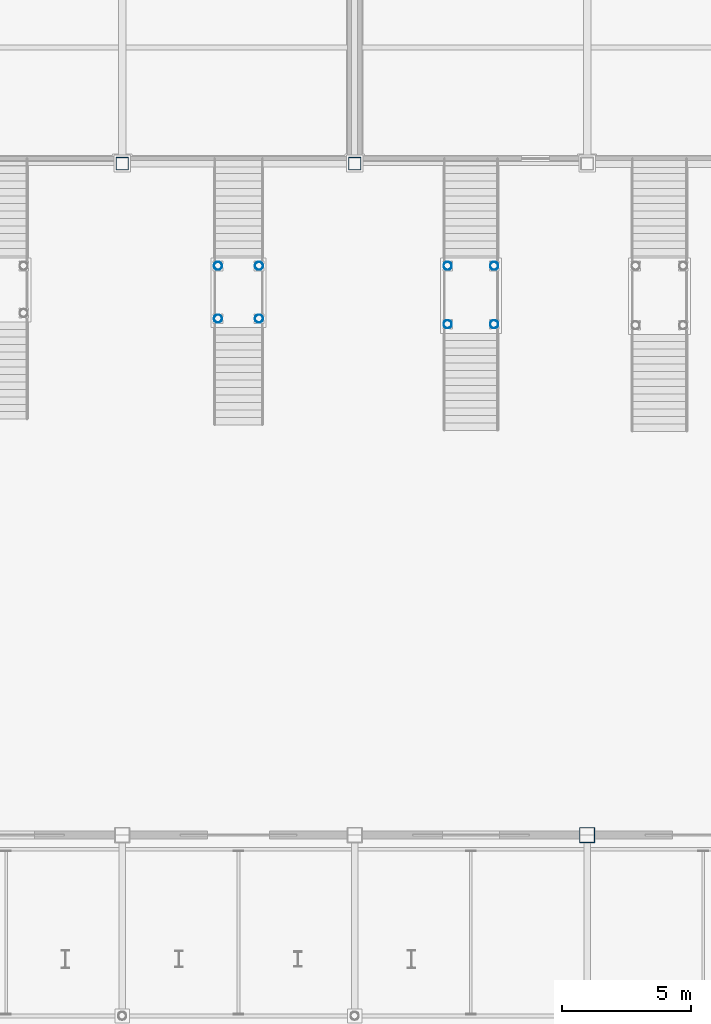
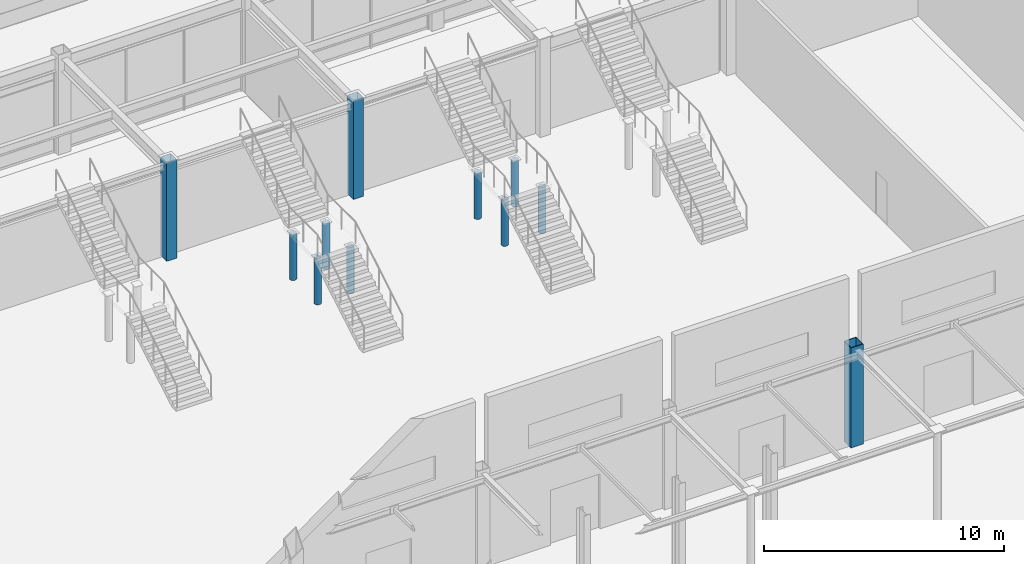
# One storey, part 10 of 123: 11 columns.
"""IFC4 building model written with IfcOpenShell, lengths in metres."""

from ifc_helpers import new_model, si_unit, direction, frame, origin, origin_2d, place, context, subcontext, project, spatial, hollow_rectangle, hollow_circle, extrude, material, material_profile, profile_set, type_object, element, save


model = new_model("IFC4")

# Units and contexts
model_context = context("Model", 3, precision=1e-05, world=origin(), true_north=direction((0.0, 1.0)))
body_context = subcontext(model_context, "Body", "Model", "MODEL_VIEW")
ifc_project = project(units=[si_unit("LENGTHUNIT", "METRE"), si_unit("AREAUNIT", "SQUARE_METRE"), si_unit("VOLUMEUNIT", "CUBIC_METRE"), si_unit("PLANEANGLEUNIT", "RADIAN"), si_unit("MASSUNIT", "GRAM", prefix="KILO")], contexts=[model_context])

# Site, building, storey
site_placement = place(None, origin())
site = spatial("IfcSite", under=ifc_project, at=site_placement, CompositionType="ELEMENT")
building_placement = place(site_placement, origin())
building = spatial("IfcBuilding", under=site, at=building_placement, Name="Suzunagisa Mobility Hub", CompositionType="ELEMENT")
storey_placement = place(building_placement, origin())
storey = spatial("IfcBuildingStorey", under=building, at=storey_placement, Name="L00", CompositionType="ELEMENT", Elevation=0.0)

# Columns
ifc_material = material(Name="Steel SN490B", Category="steel")
ifc_material_profile_1 = material_profile(ifc_material, hollow_rectangle(XDim=0.60009765625, YDim=0.60009765625, WallThickness=0.031982421875, at=origin_2d()), Name="BOX-600x600x32")
ifc_profile_set_1 = profile_set([ifc_material_profile_1], Name="Steel SN490B")
column_type_1 = type_object("IfcColumnType", Name="Steel Column CL-05 BOX-600x600x32", PredefinedType="COLUMN", material=ifc_profile_set_1)
column_placement = place(storey_placement, frame((99.0, 36.0, 0.0), z_axis=(0.0, 0.0, 1.0), x_axis=(1.0, 0.0, 0.0)))
element("IfcColumn", 1, at=column_placement, inside=storey, type_object=column_type_1, Name="L00 Column 192", PredefinedType="COLUMN", context=body_context, shape_type="SweptSolid", body=[
    extrude(hollow_rectangle(XDim=0.60009765625, YDim=0.60009765625, WallThickness=0.031982421875, at=origin_2d()), origin(), (0.0, 0.0, 1.0), 5.10009765625),
])
ifc_material_profile_2 = material_profile(ifc_material, hollow_circle(Radius=0.1591796875, WallThickness=0.01025390625, at=origin_2d()), Name="CHS-318.5x10.3")
ifc_profile_set_2 = profile_set([ifc_material_profile_2], Name="Steel SN490B")
column_type_2 = type_object("IfcColumnType", Name="Steel Column CL-09 CHS-318.5x10.3", PredefinedType="COLUMN", material=ifc_profile_set_2)
for number, where, z_axis, x_axis, name in (
    (2, (84.7080078125, 55.99609375, 0.0), (0.0, 0.0, 1.0), (1.0, 0.0, 0.0), "L00 Concourse Stair Post CS-04-1"),
    (3, (86.2919921875, 55.99609375, 0.0), (0.0, 0.0, 1.0), (1.0, 0.0, 0.0), "L00 Concourse Stair Post CS-04-2"),
    (4, (84.7080078125, 58.0400390625, 0.0), (0.0, 0.0, 1.0), (1.0, 0.0, 0.0), "L00 Concourse Stair Post CS-04-3"),
    (5, (86.2919921875, 58.0400390625, 0.0), (0.0, 0.0, 1.0), (1.0, 0.0, 0.0), "L00 Concourse Stair Post CS-04-4"),
    (6, (93.60009765625, 55.780029296875, 0.0), (0.0, 0.0, 1.0), (1.0, 0.0, 0.0), "L00 Concourse Stair Post CS-05-1"),
    (7, (95.39990234375, 55.780029296875, 0.0), (0.0, 0.0, 1.0), (1.0, 0.0, 0.0), "L00 Concourse Stair Post CS-05-2"),
    (8, (93.60009765625, 58.0400390625, 0.0), (0.0, 0.0, 1.0), (1.0, 0.0, 0.0), "L00 Concourse Stair Post CS-05-3"),
    (9, (95.39990234375, 58.0400390625, 0.0), (0.0, 0.0, 1.0), (1.0, 0.0, 0.0), "L00 Concourse Stair Post CS-05-4"),
):
    element("IfcColumn", number, at=place(storey_placement, frame(where, z_axis=z_axis, x_axis=x_axis)), inside=storey, type_object=column_type_2, Name=name, PredefinedType="COLUMN", context=body_context, shape_type="SweptSolid", body=[
        extrude(hollow_circle(Radius=0.1591796875, WallThickness=0.01025390625, at=origin_2d()), origin(), (0.0, 0.0, 1.0), 2.35009765625),
    ])
ifc_material_profile_3 = material_profile(ifc_material, hollow_rectangle(XDim=0.5, YDim=0.5, WallThickness=0.02490234375, at=origin_2d()), Name="BCR-500x500x25")
ifc_profile_set_3 = profile_set([ifc_material_profile_3], Name="Steel SN490B")
column_type_3 = type_object("IfcColumnType", Name="Steel Column CL-11 BCR-500x500x25", PredefinedType="COLUMN", material=ifc_profile_set_3)
for number, where, z_axis, x_axis, name in (
    (10, (81.0, 62.0, 0.0), (0.0, 0.0, 1.0), (1.0, 0.0, 0.0), "L00 Column 168"),
    (11, (90.0, 62.0, 0.0), (0.0, 0.0, 1.0), (1.0, 0.0, 0.0), "L00 Column 184"),
):
    element("IfcColumn", number, at=place(storey_placement, frame(where, z_axis=z_axis, x_axis=x_axis)), inside=storey, type_object=column_type_3, Name=name, PredefinedType="COLUMN", context=body_context, shape_type="SweptSolid", body=[
        extrude(hollow_rectangle(XDim=0.5, YDim=0.5, WallThickness=0.02490234375, at=origin_2d()), origin(), (0.0, 0.0, 1.0), 5.0400390625),
    ])

save(model, "model.ifc")
